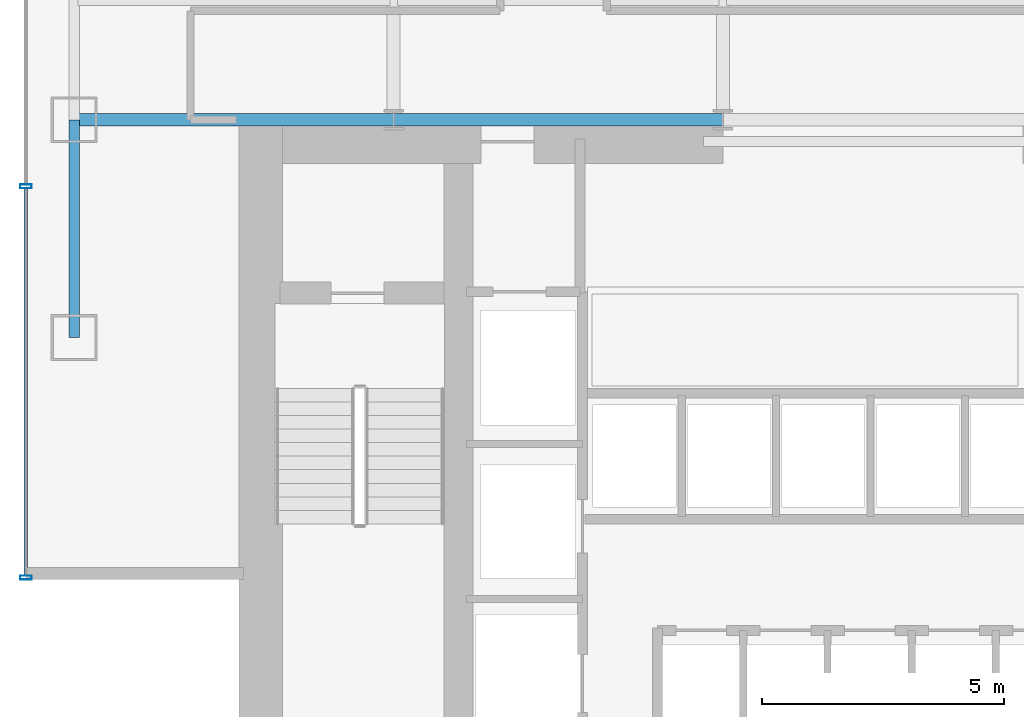
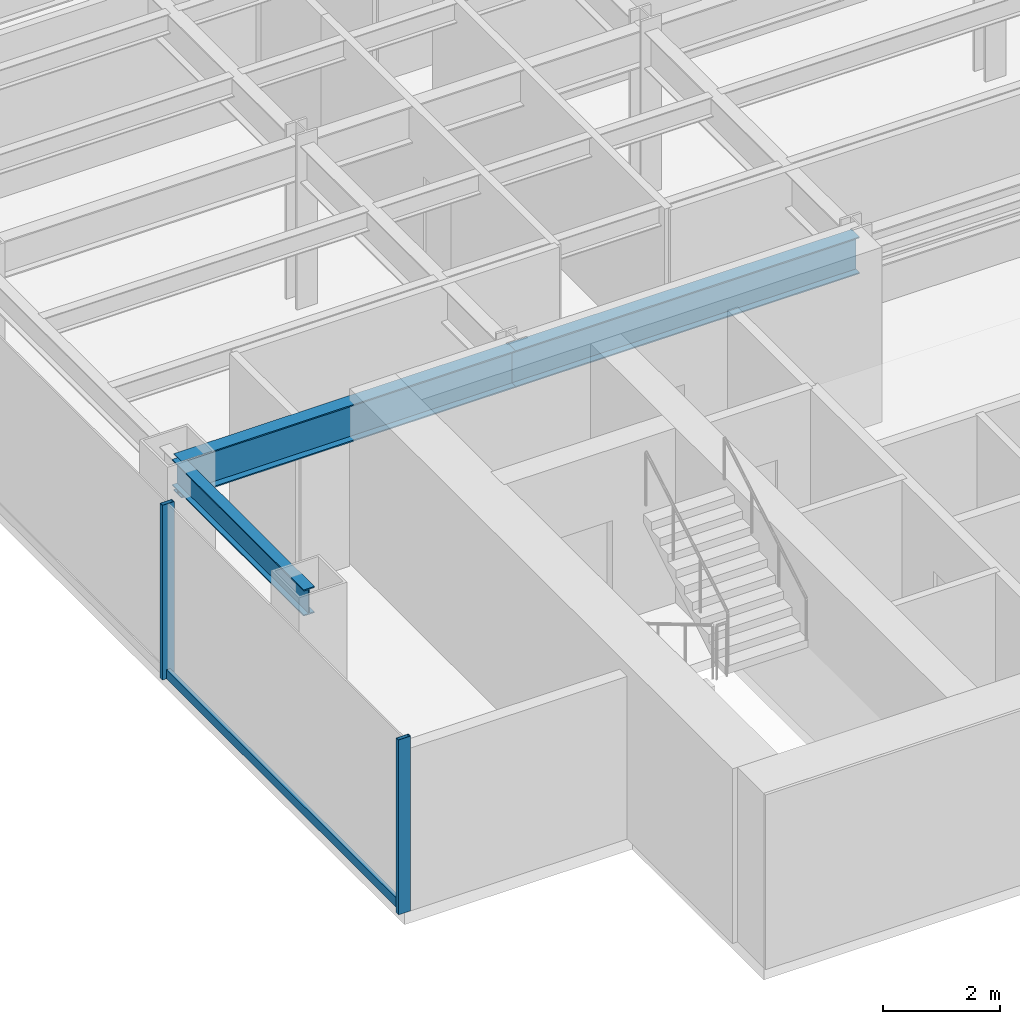
# One storey, part 2 of 23: 3 beams, 3 members, 1 element without a shape of its own.
"""IFC4 building model written with IfcOpenShell, lengths in metres."""

import ifcopenshell
import ifcopenshell.guid

model = None  # the IFC model being written
_history = None  # IfcOwnerHistory: only IFC2X3 demands one
_inside = {}  # id of a spatial element -> (the spatial element, [elements in it])
_under = {}  # id of a project, library or spatial element -> (it, [spatial elements below it])
_declared = {}  # id of a project -> (the project, [libraries it declares])
_typed = {}  # id of a type object -> (the type object, [elements of that type])
_made_of = {}  # id of a material, layer set ... -> (it, [elements and type objects made of it])


def new_model(schema):
    """Start an empty IFC model of exactly this schema.

    Asked for "IFC4X3", IfcOpenShell would pick the latest addendum, in which some entities
    have other attributes; the version numbers below select the first issue.
    IFC2X3 requires an IfcOwnerHistory on every rooted entity: one is made here for all.
    """
    global model, _history
    if schema == "IFC4X3":
        model = ifcopenshell.file(schema_version=(4, 3, 0, 0))
    else:
        model = ifcopenshell.file(schema=schema)
    _inside.clear()
    _under.clear()
    _declared.clear()
    _typed.clear()
    _made_of.clear()
    _history = None
    if model.schema == "IFC2X3":
        org = make("IfcOrganization", Name="unknown")
        user = make(
            "IfcPersonAndOrganization",
            ThePerson=make("IfcPerson", FamilyName="unknown"),
            TheOrganization=org,
        )
        app = make(
            "IfcApplication",
            ApplicationDeveloper=org,
            Version="unknown",
            ApplicationFullName="unknown",
            ApplicationIdentifier="unknown",
        )
        _history = make(
            "IfcOwnerHistory",
            OwningUser=user,
            OwningApplication=app,
            ChangeAction="ADDED",
            CreationDate=0,
        )
    return model


def make(cls, **values):
    """One entity of the class cls with the attributes given. An attribute that is None is left unset."""
    return model.create_entity(
        cls, **{name: value for name, value in values.items() if value is not None}
    )


def rooted(cls, **values):
    """An entity with a GlobalId (a new one), such as an element, a storey or a relation."""
    return make(cls, GlobalId=ifcopenshell.guid.new(), OwnerHistory=_history, **values)


def si_unit(unit_type, name, prefix=None):
    """IfcSIUnit, for example si_unit("LENGTHUNIT", "METRE", prefix="MILLI")."""
    return make("IfcSIUnit", UnitType=unit_type, Prefix=prefix, Name=name)


def derived_unit(unit_type, elements):
    """IfcDerivedUnit: a product of units, each with its exponent."""
    return make(
        "IfcDerivedUnit",
        Elements=[
            make("IfcDerivedUnitElement", Unit=unit, Exponent=power)
            for unit, power in elements
        ],
        UnitType=unit_type,
    )


def assignment(units):
    """IfcUnitAssignment: the units of a project."""
    return None if units is None else make("IfcUnitAssignment", Units=units)


def point(xyz):
    """IfcCartesianPoint."""
    return None if xyz is None else make("IfcCartesianPoint", Coordinates=xyz)


def direction(xyz):
    """IfcDirection."""
    return None if xyz is None else make("IfcDirection", DirectionRatios=xyz)


def frame(location, z_axis=None, x_axis=None):
    """IfcAxis2Placement3D, a coordinate frame: its origin and axes. An axis left out is left unset."""
    return make(
        "IfcAxis2Placement3D",
        Location=point(location),
        Axis=direction(z_axis),
        RefDirection=direction(x_axis),
    )


def frame_2d(location, x_axis=None):
    """IfcAxis2Placement2D, a coordinate frame in the plane: its origin and x axis."""
    return make(
        "IfcAxis2Placement2D", Location=point(location), RefDirection=direction(x_axis)
    )


def origin():
    """The frame at (0, 0, 0) with its axes left unset."""
    return frame((0.0, 0.0, 0.0))


def origin_2d():
    """The frame at (0, 0) in the plane with its x axis left unset."""
    return frame_2d((0.0, 0.0))


def place(relative_to, where):
    """IfcLocalPlacement: puts the frame where relative to a parent placement (None: the world)."""
    return make(
        "IfcLocalPlacement", PlacementRelTo=relative_to, RelativePlacement=where
    )


def context(
    kind, dimensions, precision=None, world=None, true_north=None, identifier=None
):
    """IfcGeometricRepresentationContext, for example the 3D "Model" context."""
    return make(
        "IfcGeometricRepresentationContext",
        ContextIdentifier=identifier,
        ContextType=kind,
        CoordinateSpaceDimension=dimensions,
        Precision=precision,
        WorldCoordinateSystem=world,
        TrueNorth=true_north,
    )


def subcontext(parent, identifier, kind, view, scale=None):
    """IfcGeometricRepresentationSubContext, for example "Body" below "Model"."""
    return make(
        "IfcGeometricRepresentationSubContext",
        ContextIdentifier=identifier,
        ContextType=kind,
        ParentContext=parent,
        TargetScale=scale,
        TargetView=view,
    )


def project(units=None, contexts=None):
    """IfcProject with its units and contexts."""
    return rooted(
        "IfcProject",
        Name="project",
        RepresentationContexts=contexts,
        UnitsInContext=assignment(units),
    )


def spatial(cls, under=None, at=None, **own):
    """A site, building, storey or space (cls), placed at a placement, below another one or the project."""
    s = rooted(cls, ObjectPlacement=at, **own)
    if under is not None:
        _under.setdefault(under.id(), (under, []))[1].append(s)
    return s


def profile(cls, at=None, kind="AREA", **sizes):
    """A parametric profile (cls). Its sizes go by their IFC names, for example OverallWidth=200.0."""
    return make(cls, ProfileType=kind, Position=at, **sizes)


def hollow_rectangle(**sizes):
    """IfcRectangleHollowProfileDef."""
    return profile("IfcRectangleHollowProfileDef", **sizes)


def i_section(**sizes):
    """IfcIShapeProfileDef."""
    return profile("IfcIShapeProfileDef", **sizes)


def extrude(swept, where, along, depth):
    """IfcExtrudedAreaSolid: the profile swept, set in the frame where, extruded along a direction by depth."""
    return make(
        "IfcExtrudedAreaSolid",
        SweptArea=swept,
        Position=where,
        ExtrudedDirection=direction(along),
        Depth=depth,
    )


def shape(context_of_items, identifier, shape_type, items):
    """IfcShapeRepresentation: the items that make up one representation, for example the "Body"."""
    return make(
        "IfcShapeRepresentation",
        ContextOfItems=context_of_items,
        RepresentationIdentifier=identifier,
        RepresentationType=shape_type,
        Items=items,
    )


def source(mapping_origin, context_of_items, identifier, shape_type, items):
    """IfcRepresentationMap: a shape defined once, which mapped items show again and again."""
    return make(
        "IfcRepresentationMap",
        MappingOrigin=mapping_origin,
        MappedRepresentation=shape(context_of_items, identifier, shape_type, items),
    )


def transform(
    local_origin,
    x_axis=None,
    y_axis=None,
    z_axis=None,
    scale=None,
    scale2=None,
    scale3=None,
    uniform=True,
):
    """IfcCartesianTransformationOperator3D, or its non-uniform kind. x_axis, y_axis, z_axis: its Axis1, 2, 3."""
    if uniform:
        return make(
            "IfcCartesianTransformationOperator3D",
            Axis1=direction(x_axis),
            Axis2=direction(y_axis),
            LocalOrigin=point(local_origin),
            Scale=scale,
            Axis3=direction(z_axis),
        )
    return make(
        "IfcCartesianTransformationOperator3DnonUniform",
        Axis1=direction(x_axis),
        Axis2=direction(y_axis),
        LocalOrigin=point(local_origin),
        Scale=scale,
        Axis3=direction(z_axis),
        Scale2=scale2,
        Scale3=scale3,
    )


def mapped(mapping_source, mapping_target):
    """IfcMappedItem: shows the shape of a source again, moved by a transform."""
    return make(
        "IfcMappedItem", MappingSource=mapping_source, MappingTarget=mapping_target
    )


def material(Name=None, Category=None):
    """IfcMaterial."""
    return make("IfcMaterial", Name=Name, Category=Category)


def material_profile(
    of_material, cross_section, Name=None, Category=None, Priority=None
):
    """IfcMaterialProfile: a cross section and its material."""
    return make(
        "IfcMaterialProfile",
        Name=Name,
        Material=of_material,
        Profile=cross_section,
        Priority=Priority,
        Category=Category,
    )


def profile_set(profiles, Name=None, composite=None):
    """IfcMaterialProfileSet."""
    return make(
        "IfcMaterialProfileSet",
        Name=Name,
        MaterialProfiles=profiles,
        CompositeProfile=composite,
    )


def made_of(thing, what):
    """Note that an element or type object is made of a material, layer set ...; save() writes the relation."""
    if what is not None:
        _made_of.setdefault(what.id(), (what, []))[1].append(thing)
    return thing


def type_object(cls, material=None, **own):
    """A type object (cls), such as IfcWallType, which elements share."""
    return made_of(rooted(cls, **own), material)


def element(
    cls,
    number,
    at=None,
    inside=None,
    cuts=None,
    type_object=None,
    material=None,
    context=None,
    identifier="Body",
    shape_type=None,
    held_by="IfcProductDefinitionShape",
    body=None,
    shapes=None,
    **own,
):
    """One element of the class cls, such as IfcWall. Its Tag is "e" and its number.

    at: its placement. inside: the storey or other place that contains it. cuts: it is an
    opening in that element (IfcRelVoidsElement). A single representation is given by context,
    identifier, shape_type and body (its items); several are given by shapes. held_by: the class
    of the entity that holds the representations. save() writes the other relations.
    """
    e = rooted(cls, Tag="e%d" % number, ObjectPlacement=at, **own)
    if body is not None:
        shapes = [shape(context, identifier, shape_type, body)]
    if shapes is not None:
        e.Representation = make(held_by, Representations=shapes)
    if inside is not None:
        _inside.setdefault(inside.id(), (inside, []))[1].append(e)
    if cuts is not None:
        rooted(
            "IfcRelVoidsElement", RelatingBuildingElement=cuts, RelatedOpeningElement=e
        )
    if type_object is not None:
        _typed.setdefault(type_object.id(), (type_object, []))[1].append(e)
    return made_of(e, material)


def aggregate(whole, parts):
    """IfcRelAggregates: a whole, such as a stair, and the parts it consists of."""
    return rooted("IfcRelAggregates", RelatingObject=whole, RelatedObjects=parts)


def save(model, path):
    """Write the relations noted so far, then the file.

    IfcRelAggregates (storeys below a building ...), IfcRelContainedInSpatialStructure (elements
    in a storey), IfcRelDefinesByType, IfcRelAssociatesMaterial and IfcRelDeclares: one each for
    every whole, place, type object, material and project.
    """
    for whole, parts in _under.values():
        aggregate(whole, parts)
    for where, things in _inside.values():
        rooted(
            "IfcRelContainedInSpatialStructure",
            RelatedElements=things,
            RelatingStructure=where,
        )
    for kind, things in _typed.values():
        rooted("IfcRelDefinesByType", RelatedObjects=things, RelatingType=kind)
    for what, things in _made_of.values():
        rooted("IfcRelAssociatesMaterial", RelatedObjects=things, RelatingMaterial=what)
    for by, libraries in _declared.values():
        rooted("IfcRelDeclares", RelatingContext=by, RelatedDefinitions=libraries)
    model.write(path)


model = new_model("IFC4")

# Units and contexts
model_context = context("Model", 3, precision=1e-05, world=origin(), true_north=direction((0.0, 1.0)))
body_context = subcontext(model_context, "Body", "Model", "MODEL_VIEW")
ifc_project = project(units=[si_unit("LENGTHUNIT", "METRE"), si_unit("AREAUNIT", "SQUARE_METRE"), si_unit("VOLUMEUNIT", "CUBIC_METRE"), si_unit("PLANEANGLEUNIT", "RADIAN"), si_unit("MASSUNIT", "GRAM", prefix="KILO"), derived_unit("THERMALTRANSMITTANCEUNIT", [(si_unit("POWERUNIT", "WATT"), 1), (si_unit("LENGTHUNIT", "METRE"), -2), (si_unit("THERMODYNAMICTEMPERATUREUNIT", "KELVIN"), -1)])], contexts=[model_context])

# Site, building, storey
site_placement = place(None, origin())
site = spatial("IfcSite", under=ifc_project, at=site_placement, CompositionType="ELEMENT")
building_placement = place(site_placement, origin())
building = spatial("IfcBuilding", under=site, at=building_placement, Name="Skarnbrae Concourse Arena and Tower", CompositionType="ELEMENT")
storey_placement = place(building_placement, frame((0.0, 0.0, 43.449951171875)))
storey = spatial("IfcBuildingStorey", under=building, at=storey_placement, Name="L09", CompositionType="ELEMENT", Elevation=43.449951171875)

# Beams
ifc_material_1 = material(Name="Steel CSA G40.21 350W", Category="steel")
ifc_material_profile_1 = material_profile(ifc_material_1, i_section(OverallWidth=0.26806640625, OverallDepth=0.77001953125, WebThickness=0.015625, FlangeThickness=0.025390625, at=origin_2d()), Name="W760X196")
ifc_profile_set_1 = profile_set([ifc_material_profile_1], Name="Steel CSA G40.21 350W")
beam_type_1 = type_object("IfcBeamType", Name="BM-GIRD-W760X196", PredefinedType="BEAM", material=ifc_profile_set_1)
shared_shape_1 = source(origin(), body_context, "Body", "SweptSolid", [
    extrude(i_section(OverallWidth=0.26806640625, OverallDepth=0.77001953125, WebThickness=0.015625, FlangeThickness=0.025390625, at=origin_2d()), origin(), (0.0, 0.0, 1.0), 6.60009765625),
])
beam_1_placement = place(storey_placement, frame((1.0, 14.0, 3.01513671875), z_axis=(1.0, 0.0, 0.0), x_axis=(0.0, 1.0, 0.0)))
element("IfcBeam", 1, at=beam_1_placement, inside=storey, type_object=beam_type_1, Name="L09 Primary E-W girder Y14.0-1", PredefinedType="BEAM", context=body_context, shape_type="MappedRepresentation", body=[
    mapped(shared_shape_1, transform((0.0, 0.0, 0.0))),
])
shared_shape_2 = source(origin(), body_context, "Body", "SweptSolid", [
    extrude(i_section(OverallWidth=0.26806640625, OverallDepth=0.77001953125, WebThickness=0.015625, FlangeThickness=0.025390625, at=origin_2d()), origin(), (0.0, 0.0, 1.0), 6.7998046875),
])
beam_2_placement = place(storey_placement, frame((7.60009765625, 14.0, 3.01513671875), z_axis=(1.0, 0.0, 0.0), x_axis=(0.0, 1.0, 0.0)))
element("IfcBeam", 2, at=beam_2_placement, inside=storey, type_object=beam_type_1, Name="L09 Primary E-W girder Y14.0-2", PredefinedType="BEAM", context=body_context, shape_type="MappedRepresentation", body=[
    mapped(shared_shape_2, transform((0.0, 0.0, 0.0))),
])
ifc_material_profile_2 = material_profile(ifc_material_1, i_section(OverallWidth=0.214111328125, OverallDepth=0.549072265625, WebThickness=0.0146484375, FlangeThickness=0.023681640625, at=origin_2d()), Name="W530X138")
ifc_profile_set_2 = profile_set([ifc_material_profile_2], Name="Steel CSA G40.21 350W")
beam_type_2 = type_object("IfcBeamType", Name="BM-SPAN-W530X138", PredefinedType="SPANDREL", material=ifc_profile_set_2)
shared_shape_3 = source(origin(), body_context, "Body", "SweptSolid", [
    extrude(i_section(OverallWidth=0.214111328125, OverallDepth=0.549072265625, WebThickness=0.0146484375, FlangeThickness=0.023681640625, at=origin_2d()), origin(), (0.0, 0.0, 1.0), 4.5),
])
beam_3_placement = place(storey_placement, frame((1.0, 9.5, 3.12548828125), z_axis=(0.0, 1.0, 0.0), x_axis=(-1.0, 0.0, 0.0)))
element("IfcBeam", 3, at=beam_3_placement, inside=storey, type_object=beam_type_2, Name="L09 Perimeter spandrel X1.0-1", PredefinedType="SPANDREL", context=body_context, shape_type="MappedRepresentation", body=[
    mapped(shared_shape_3, transform((0.0, 0.0, 0.0))),
])

# Curtain wall, members
ifc_material_2 = material(Name="Bronze anodised aluminium 6063-T6", Category="aluminium")
curtain_wall_type = type_object("IfcCurtainWallType", Name="CW-SYS-02-LOWZONE", PredefinedType="USERDEFINED", material=ifc_material_2)
curtain_wall_placement = place(storey_placement, origin())
curtain_wall = element("IfcCurtainWall", 4, at=curtain_wall_placement, inside=storey, type_object=curtain_wall_type, Name="L09 Unitised curtain wall CW-L09-E19", ObjectType="UNITISED CURTAIN WALL", PredefinedType="USERDEFINED")
ifc_material_profile_3 = material_profile(ifc_material_2, hollow_rectangle(XDim=0.080078125, YDim=0.18994140625, WallThickness=0.0048828125, at=origin_2d()), Name="ALU-TRAN-80X190")
ifc_profile_set_3 = profile_set([ifc_material_profile_3], Name="Bronze anodised aluminium 6063-T6")
member_type_1 = type_object("IfcMemberType", Name="CWT-CW-02", PredefinedType="USERDEFINED", material=ifc_profile_set_3)
shared_shape_4 = source(origin(), body_context, "Body", "SweptSolid", [
    extrude(hollow_rectangle(XDim=0.080078125, YDim=0.18994140625, WallThickness=0.0048828125, at=origin_2d()), origin(), (0.0, 0.0, 1.0), 8.0048828125),
])
member_1_placement = place(storey_placement, frame((0.0, 12.5849609375, 0.094970703125), z_axis=(0.0, -1.0, 0.0), x_axis=(1.0, 0.0, 0.0)))
member_1 = element("IfcMember", 5, at=member_1_placement, type_object=member_type_1, Name="CW-L09-E19 Transom 4", ObjectType="TRANSOM", PredefinedType="USERDEFINED", context=body_context, shape_type="MappedRepresentation", body=[
    mapped(shared_shape_4, transform((0.0, 0.0, 0.0))),
])
ifc_material_profile_4 = material_profile(ifc_material_2, hollow_rectangle(XDim=0.080078125, YDim=0.239990234375, WallThickness=0.0048828125, at=origin_2d()), Name="ALU-MULL-80X240")
ifc_profile_set_4 = profile_set([ifc_material_profile_4], Name="Bronze anodised aluminium 6063-T6")
member_type_2 = type_object("IfcMemberType", Name="CWM-CW-02", PredefinedType="MULLION", material=ifc_profile_set_4)
shared_shape_5 = source(origin(), body_context, "Body", "SweptSolid", [
    extrude(hollow_rectangle(XDim=0.080078125, YDim=0.239990234375, WallThickness=0.0048828125, at=origin_2d()), origin(), (0.0, 0.0, 1.0), 3.650146484375),
])
member_2_placement = place(storey_placement, frame((0.0, 12.625, 0.0), z_axis=(0.0, 0.0, 1.0), x_axis=(0.0, -1.0, 0.0)))
member_2 = element("IfcMember", 6, at=member_2_placement, type_object=member_type_2, Name="CW-L09-E19 Mullion 4", PredefinedType="MULLION", context=body_context, shape_type="MappedRepresentation", body=[
    mapped(shared_shape_5, transform((0.0, 0.0, 0.0))),
])
member_3_placement = place(storey_placement, frame((0.0, 4.5400390625, 0.0), z_axis=(0.0, 0.0, 1.0), x_axis=(0.0, -1.0, 0.0)))
member_3 = element("IfcMember", 7, at=member_3_placement, type_object=member_type_2, Name="CW-L09-E19 Mullion 5", PredefinedType="MULLION", context=body_context, shape_type="MappedRepresentation", body=[
    mapped(shared_shape_5, transform((0.0, 0.0, 0.0))),
])
aggregate(curtain_wall, [member_2, member_3, member_1])

save(model, "model.ifc")
